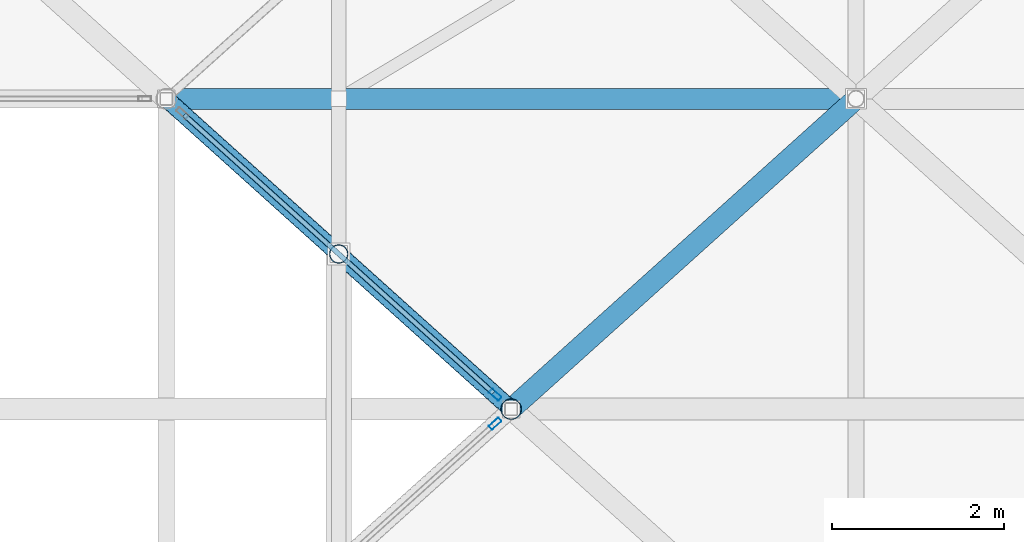
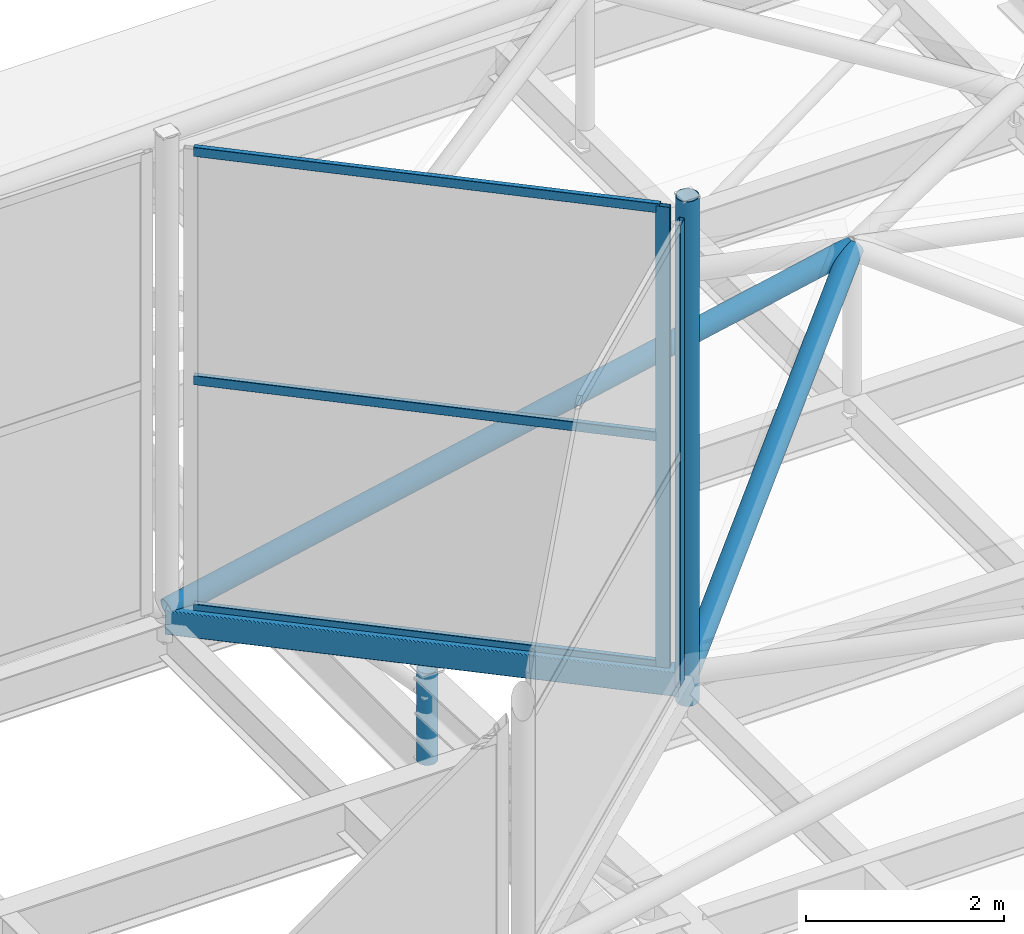
# One storey, part 104 of 239: 9 members, 1 beam, 2 elements without a shape of their own.
"""IFC4 building model written with IfcOpenShell, lengths in metres."""

from ifc_helpers import new_model, si_unit, direction, frame, origin, origin_2d, place, context, subcontext, project, spatial, hollow_rectangle, hollow_circle, extrude, material, layer, layer_set, material_profile, profile_set, type_object, element, aggregate, save


model = new_model("IFC4")

# Units and contexts
model_context = context("Model", 3, precision=1e-05, world=origin(), true_north=direction((0.0, 1.0)))
body_context = subcontext(model_context, "Body", "Model", "MODEL_VIEW")
ifc_project = project(units=[si_unit("LENGTHUNIT", "METRE"), si_unit("AREAUNIT", "SQUARE_METRE"), si_unit("VOLUMEUNIT", "CUBIC_METRE"), si_unit("PLANEANGLEUNIT", "RADIAN"), si_unit("MASSUNIT", "GRAM", prefix="KILO")], contexts=[model_context])

# Site, building, storey
site_placement = place(None, origin())
site = spatial("IfcSite", under=ifc_project, at=site_placement, CompositionType="ELEMENT")
building_placement = place(site_placement, origin())
building = spatial("IfcBuilding", under=site, at=building_placement, Name="Dunvalen Ferry Terminal", CompositionType="ELEMENT")
storey_placement = place(building_placement, frame((0.0, 0.0, 9.840087890625)))
storey = spatial("IfcBuildingStorey", under=building, at=storey_placement, Name="L02", CompositionType="ELEMENT", Elevation=9.840087890625)

# Curtain wall, member
ifc_material_1 = material(Name="Anodised marine aluminium and solar-control glazing", Category="aluminium")
ifc_layer_1 = layer(ifc_material_1, 0.179931640625, Name="Anodised marine aluminium and solar-control glazing")
ifc_layer_set_1 = layer_set([ifc_layer_1], Name="Anodised marine aluminium and solar-control glazing")
curtain_wall_type_1 = type_object("IfcCurtainWallType", Name="ENV-CW-SYS-05", PredefinedType="NOTDEFINED", material=ifc_layer_set_1)
curtain_wall_1_placement = place(storey_placement, origin())
curtain_wall_1 = element("IfcCurtainWall", 1, at=curtain_wall_1_placement, inside=storey, type_object=curtain_wall_type_1, Name="L02 Curtain Wall CW-HEX-21-SK-3", PredefinedType="NOTDEFINED")
ifc_material_2 = material(Name="Anodised marine aluminium EN AW-6063 T6", Category="aluminium")
ifc_material_profile_1 = material_profile(ifc_material_2, hollow_rectangle(XDim=0.06005859375, YDim=0.14990234375, WallThickness=0.00341796875, InnerFilletRadius=0.00341796875, OuterFilletRadius=0.007080078125, at=origin_2d()), Name="Anodised marine aluminium EN AW-6063 T6")
ifc_profile_set_1 = profile_set([ifc_material_profile_1], Name="Anodised marine aluminium EN AW-6063 T6")
member_type_1 = type_object("IfcMemberType", Name="ENV-CW-MUL-3", PredefinedType="MULLION", material=ifc_profile_set_1)
member_1_placement = place(storey_placement, frame((49.814208984375, 75.4326171875, 1.139892578125), z_axis=(0.0, 0.0, 1.0), x_axis=(-0.668953550894, 0.74330420875, 0.0)))
member_1 = element("IfcMember", 2, at=member_1_placement, type_object=member_type_1, Name="CW-05 mullion 2", PredefinedType="MULLION", context=body_context, shape_type="SweptSolid", body=[
    extrude(hollow_rectangle(XDim=0.06005859375, YDim=0.14990234375, WallThickness=0.00341796875, InnerFilletRadius=0.00341796875, OuterFilletRadius=0.007080078125, at=origin_2d()), origin(), (0.0, 0.0, 1.0), 5.699951171875),
])
aggregate(curtain_wall_1, [member_1])

# Curtain wall, members
ifc_layer_2 = layer(ifc_material_1, 0.179931640625, Name="Anodised marine aluminium and solar-control glazing")
ifc_layer_set_2 = layer_set([ifc_layer_2], Name="Anodised marine aluminium and solar-control glazing")
curtain_wall_type_2 = type_object("IfcCurtainWallType", Name="ENV-CW-SYS-06", PredefinedType="NOTDEFINED", material=ifc_layer_set_2)
curtain_wall_2_placement = place(storey_placement, origin())
curtain_wall_2 = element("IfcCurtainWall", 3, at=curtain_wall_2_placement, inside=storey, type_object=curtain_wall_type_2, Name="L02 Curtain Wall CW-HEX-21-SK-4", PredefinedType="NOTDEFINED")
member_2_placement = place(storey_placement, frame((49.814208984375, 75.767333984375, 1.139892578125), z_axis=(0.0, 0.0, 1.0), x_axis=(-0.668953550894, -0.74330420875, 0.0)))
member_2 = element("IfcMember", 4, at=member_2_placement, type_object=member_type_1, Name="CW-06 mullion 1", PredefinedType="MULLION", context=body_context, shape_type="SweptSolid", body=[
    extrude(hollow_rectangle(XDim=0.06005859375, YDim=0.14990234375, WallThickness=0.00341796875, InnerFilletRadius=0.00341796875, OuterFilletRadius=0.007080078125, at=origin_2d()), origin(), (0.0, 0.0, 1.0), 5.699951171875),
])
ifc_material_profile_2 = material_profile(ifc_material_2, hollow_rectangle(XDim=0.06005859375, YDim=0.114990234375, WallThickness=0.0029296875, InnerFilletRadius=0.0029296875, OuterFilletRadius=0.006103515625, at=origin_2d()), Name="Anodised marine aluminium EN AW-6063 T6")
ifc_profile_set_2 = profile_set([ifc_material_profile_2], Name="Anodised marine aluminium EN AW-6063 T6")
member_type_2 = type_object("IfcMemberType", Name="ENV-CW-TRN-3", PredefinedType="USERDEFINED", material=ifc_profile_set_2)
member_3_placement = place(storey_placement, frame((49.7919921875, 75.787353515625, 1.169921875), z_axis=(-0.743319323261, 0.668936756104, 0.0), x_axis=(-0.668936756104, -0.743319323261, 0.0)))
member_3 = element("IfcMember", 5, at=member_3_placement, type_object=member_type_2, Name="CW-06 transom 1.1", ObjectType="TRANSOM", PredefinedType="USERDEFINED", context=body_context, shape_type="SweptSolid", body=[
    extrude(hollow_rectangle(XDim=0.06005859375, YDim=0.114990234375, WallThickness=0.0029296875, InnerFilletRadius=0.0029296875, OuterFilletRadius=0.006103515625, at=origin_2d()), origin(), (0.0, 0.0, 1.0), 4.821533203125),
])
member_4_placement = place(storey_placement, frame((49.7919921875, 75.787353515625, 3.989990234375), z_axis=(-0.743319323261, 0.668936756104, 0.0), x_axis=(-0.668936756104, -0.743319323261, 0.0)))
member_4 = element("IfcMember", 6, at=member_4_placement, type_object=member_type_2, Name="CW-06 transom 1.2", ObjectType="TRANSOM", PredefinedType="USERDEFINED", context=body_context, shape_type="SweptSolid", body=[
    extrude(hollow_rectangle(XDim=0.06005859375, YDim=0.114990234375, WallThickness=0.0029296875, InnerFilletRadius=0.0029296875, OuterFilletRadius=0.006103515625, at=origin_2d()), origin(), (0.0, 0.0, 1.0), 4.821533203125),
])
member_5_placement = place(storey_placement, frame((49.7919921875, 75.787353515625, 6.809814453125), z_axis=(-0.743319323261, 0.668936756104, 0.0), x_axis=(-0.668936756104, -0.743319323261, 0.0)))
member_5 = element("IfcMember", 7, at=member_5_placement, type_object=member_type_2, Name="CW-06 transom 1.3", ObjectType="TRANSOM", PredefinedType="USERDEFINED", context=body_context, shape_type="SweptSolid", body=[
    extrude(hollow_rectangle(XDim=0.06005859375, YDim=0.114990234375, WallThickness=0.0029296875, InnerFilletRadius=0.0029296875, OuterFilletRadius=0.006103515625, at=origin_2d()), origin(), (0.0, 0.0, 1.0), 4.821533203125),
])
aggregate(curtain_wall_2, [member_2, member_3, member_4, member_5])

# Beam
ifc_material_3 = material(Name="Steel S355", Category="steel")
ifc_material_profile_3 = material_profile(ifc_material_3, hollow_rectangle(XDim=0.199951171875, YDim=0.300048828125, WallThickness=0.010009765625, InnerFilletRadius=0.010009765625, OuterFilletRadius=0.02001953125, at=origin_2d()), Name="Steel S355")
ifc_profile_set_3 = profile_set([ifc_material_profile_3], Name="Steel S355")
beam_type = type_object("IfcBeamType", Name="STR-BM-RHS300", PredefinedType="BEAM", material=ifc_profile_set_3)
beam_placement = place(storey_placement, frame((50.0, 75.60009765625, 1.0), z_axis=(-0.74330768127, 0.668949692402, 0.0), x_axis=(-0.668949692402, -0.74330768127, 0.0)))
element("IfcBeam", 8, at=beam_placement, inside=storey, type_object=beam_type, Name="HEX-21 Lantern Curb Ring Beam 4", PredefinedType="BEAM", context=body_context, shape_type="SweptSolid", body=[
    extrude(hollow_rectangle(XDim=0.199951171875, YDim=0.300048828125, WallThickness=0.010009765625, InnerFilletRadius=0.010009765625, OuterFilletRadius=0.02001953125, at=origin_2d()), origin(), (0.0, 0.0, 1.0), 5.38134765625),
])

# Members
ifc_material_profile_4 = material_profile(ifc_material_3, hollow_circle(Radius=0.109619140625, WallThickness=0.010009765625, at=origin_2d()), Name="Steel S355")
ifc_profile_set_4 = profile_set([ifc_material_profile_4], Name="Steel S355")
member_type_3 = type_object("IfcMemberType", Name="STR-MB-CHS219", PredefinedType="STRUT", material=ifc_profile_set_4)
member_6_placement = place(storey_placement, frame((48.0, 77.39990234375, -0.360107421875), z_axis=(0.0, 0.0, 1.0), x_axis=(1.0, 0.0, 0.0)))
element("IfcMember", 9, at=member_6_placement, inside=storey, type_object=member_type_3, Name="Departure Hall Arch Spandrel Strut 04.6", PredefinedType="STRUT", context=body_context, shape_type="SweptSolid", body=[
    extrude(hollow_circle(Radius=0.109619140625, WallThickness=0.010009765625, at=origin_2d()), origin(), (0.0, 0.0, 1.0), 1.130126953125),
])
ifc_material_profile_5 = material_profile(ifc_material_3, hollow_circle(Radius=0.122314453125, WallThickness=0.010009765625, at=origin_2d()), Name="Steel S355")
ifc_profile_set_5 = profile_set([ifc_material_profile_5], Name="Steel S355")
member_type_4 = type_object("IfcMemberType", Name="STR-MB-CHS244", PredefinedType="STRUT", material=ifc_profile_set_5)
member_7_placement = place(storey_placement, frame((50.0, 75.60009765625, 0.77001953125), z_axis=(0.0, 0.0, 1.0), x_axis=(1.0, 0.0, 0.0)))
element("IfcMember", 10, at=member_7_placement, inside=storey, type_object=member_type_4, Name="HEX-21 Skylight Lantern Corner Strut 4", PredefinedType="STRUT", context=body_context, shape_type="SweptSolid", body=[
    extrude(hollow_circle(Radius=0.122314453125, WallThickness=0.010009765625, at=origin_2d()), origin(), (0.0, 0.0, 1.0), 6.22998046875),
])
member_8_placement = place(storey_placement, frame((46.0, 79.199951171875, 1.099853515625), z_axis=(0.979020171275, 0.0, 0.203763353518), x_axis=(0.0, 1.0, 0.0)))
element("IfcMember", 11, at=member_8_placement, inside=storey, type_object=member_type_4, Name="HEX-27 Pyramid Hip Rafter 1", PredefinedType="STRUT", context=body_context, shape_type="SweptSolid", body=[
    extrude(hollow_circle(Radius=0.122314453125, WallThickness=0.010009765625, at=origin_2d()), origin(), (0.0, 0.0, 1.0), 8.17138671875),
])
member_9_placement = place(storey_placement, frame((50.0, 75.60009765625, 1.099853515625), z_axis=(0.710094348105, 0.639058908863, 0.295583706914), x_axis=(-0.668949692402, 0.74330768127, 0.0)))
element("IfcMember", 12, at=member_9_placement, inside=storey, type_object=member_type_4, Name="HEX-27 Pyramid Hip Rafter 2", PredefinedType="STRUT", context=body_context, shape_type="SweptSolid", body=[
    extrude(hollow_circle(Radius=0.122314453125, WallThickness=0.010009765625, at=origin_2d()), origin(), (0.0, 0.0, 1.0), 5.633056640625),
])

save(model, "model.ifc")
